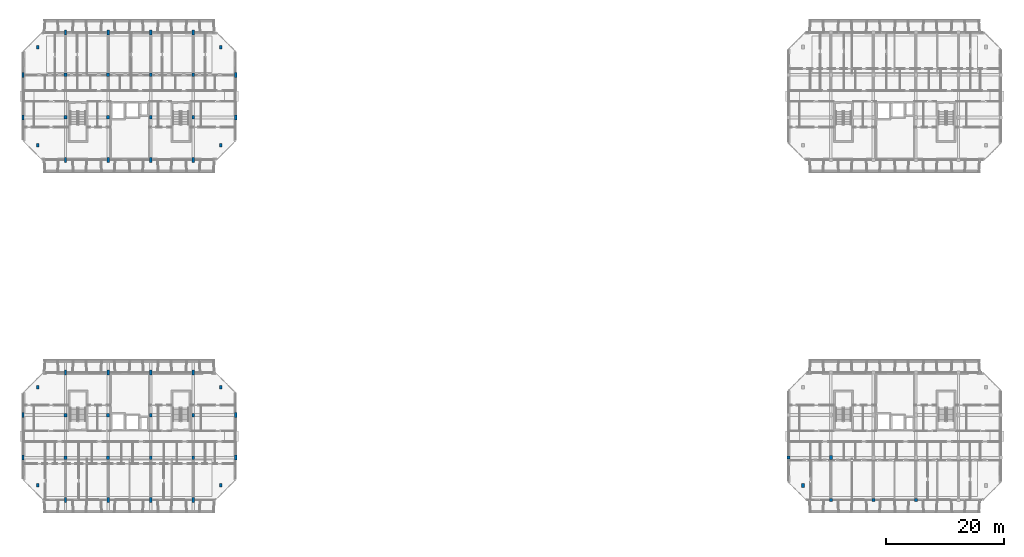
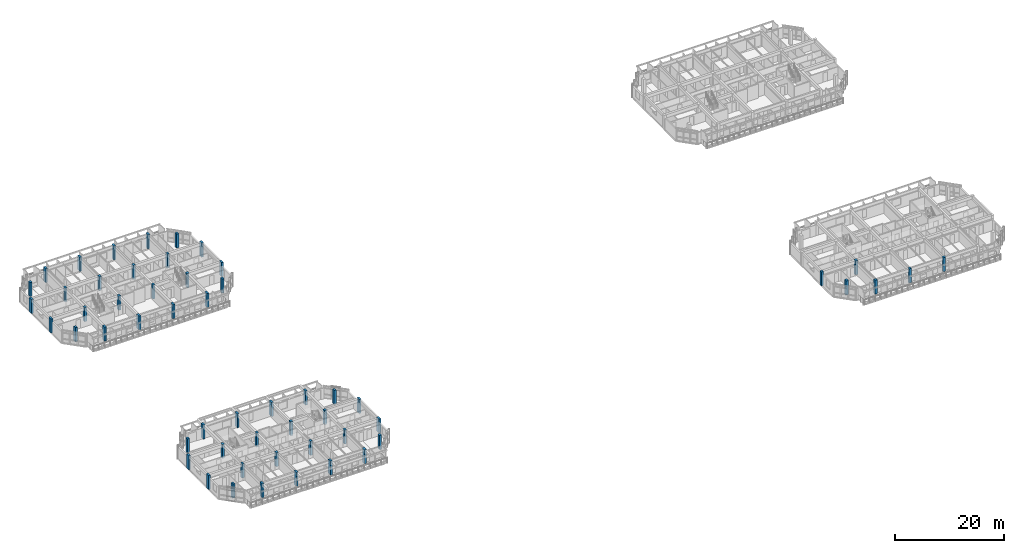
# One storey, part 1 of 46: 54 columns.
"""IFC4 building model written with IfcOpenShell, lengths in metres."""

from ifc_helpers import new_model, si_unit, direction, frame, origin, origin_2d, place, context, subcontext, project, spatial, rectangle, extrude, material, material_profile, profile_set, type_object, element, save


model = new_model("IFC4")

# Units and contexts
model_context = context("Model", 3, precision=1e-05, world=origin(), true_north=direction((0.0, 1.0)))
body_context = subcontext(model_context, "Body", "Model", "MODEL_VIEW")
ifc_project = project(units=[si_unit("LENGTHUNIT", "METRE"), si_unit("AREAUNIT", "SQUARE_METRE"), si_unit("VOLUMEUNIT", "CUBIC_METRE"), si_unit("PLANEANGLEUNIT", "RADIAN"), si_unit("MASSUNIT", "GRAM", prefix="KILO")], contexts=[model_context])

# Site, building, storey
site_placement = place(None, origin())
site = spatial("IfcSite", under=ifc_project, at=site_placement, CompositionType="ELEMENT")
building_placement = place(site_placement, origin())
building = spatial("IfcBuilding", under=site, at=building_placement, Name="Ochrevale Crest", CompositionType="ELEMENT")
storey_placement = place(building_placement, frame((0.0, 0.0, 24.449951171875)))
storey = spatial("IfcBuildingStorey", under=building, at=storey_placement, Name="L07", CompositionType="ELEMENT", Elevation=24.449951171875)

# Columns
ifc_material = material(Name="Precast concrete C50/60", Category="concrete")
ifc_material_profile_1 = material_profile(ifc_material, rectangle(XDim=0.39990234375, YDim=0.800048828125, at=origin_2d()), Name="RC 400x800")
ifc_profile_set_1 = profile_set([ifc_material_profile_1], Name="Precast concrete C50/60")
column_type_1 = type_object("IfcColumnType", Name="COL-RC400x800", PredefinedType="COLUMN", material=ifc_profile_set_1)
for number, where, z_axis, x_axis, name in (
    (1, (0.0, 21.60009765625, 0.0), (0.0, 0.0, 1.0), (1.0, 0.0, 0.0), "Block A L07 column (0.0,21.6)"),
    (2, (0.0, 28.800048828125, 0.0), (0.0, 0.0, 1.0), (1.0, 0.0, 0.0), "Block A L07 column (0.0,28.8)"),
    (3, (7.199951171875, 14.39990234375, 0.0), (0.0, 0.0, 1.0), (1.0, 0.0, 0.0), "Block A L07 column (7.2,14.4)"),
    (4, (7.199951171875, 36.0, 0.0), (0.0, 0.0, 1.0), (1.0, 0.0, 0.0), "Block A L07 column (7.2,36.0)"),
    (5, (14.39990234375, 14.39990234375, 0.0), (0.0, 0.0, 1.0), (1.0, 0.0, 0.0), "Block A L07 column (14.4,14.4)"),
    (6, (14.39990234375, 36.0, 0.0), (0.0, 0.0, 1.0), (1.0, 0.0, 0.0), "Block A L07 column (14.4,36.0)"),
    (7, (21.60009765625, 14.39990234375, 0.0), (0.0, 0.0, 1.0), (1.0, 0.0, 0.0), "Block A L07 column (21.6,14.4)"),
    (8, (21.60009765625, 36.0, 0.0), (0.0, 0.0, 1.0), (1.0, 0.0, 0.0), "Block A L07 column (21.6,36.0)"),
    (9, (28.800048828125, 14.39990234375, 0.0), (0.0, 0.0, 1.0), (1.0, 0.0, 0.0), "Block A L07 column (28.8,14.4)"),
    (10, (28.800048828125, 36.0, 0.0), (0.0, 0.0, 1.0), (1.0, 0.0, 0.0), "Block A L07 column (28.8,36.0)"),
    (11, (36.0, 21.60009765625, 0.0), (0.0, 0.0, 1.0), (1.0, 0.0, 0.0), "Block A L07 column (36.0,21.6)"),
    (12, (36.0, 28.800048828125, 0.0), (0.0, 0.0, 1.0), (1.0, 0.0, 0.0), "Block A L07 column (36.0,28.8)"),
    (13, (0.0, 79.199951171875, 0.0), (0.0, 0.0, 1.0), (1.0, 0.0, 0.0), "Block B L07 column (0.0,79.2)"),
    (14, (0.0, 86.39990234375, 0.0), (0.0, 0.0, 1.0), (1.0, 0.0, 0.0), "Block B L07 column (0.0,86.4)"),
    (15, (7.199951171875, 72.0, 0.0), (0.0, 0.0, 1.0), (1.0, 0.0, 0.0), "Block B L07 column (7.2,72.0)"),
    (16, (7.199951171875, 93.60009765625, 0.0), (0.0, 0.0, 1.0), (1.0, 0.0, 0.0), "Block B L07 column (7.2,93.6)"),
    (17, (14.39990234375, 72.0, 0.0), (0.0, 0.0, 1.0), (1.0, 0.0, 0.0), "Block B L07 column (14.4,72.0)"),
    (18, (14.39990234375, 93.60009765625, 0.0), (0.0, 0.0, 1.0), (1.0, 0.0, 0.0), "Block B L07 column (14.4,93.6)"),
    (19, (21.60009765625, 72.0, 0.0), (0.0, 0.0, 1.0), (1.0, 0.0, 0.0), "Block B L07 column (21.6,72.0)"),
    (20, (21.60009765625, 93.60009765625, 0.0), (0.0, 0.0, 1.0), (1.0, 0.0, 0.0), "Block B L07 column (21.6,93.6)"),
    (21, (28.800048828125, 72.0, 0.0), (0.0, 0.0, 1.0), (1.0, 0.0, 0.0), "Block B L07 column (28.8,72.0)"),
    (22, (28.800048828125, 93.60009765625, 0.0), (0.0, 0.0, 1.0), (1.0, 0.0, 0.0), "Block B L07 column (28.8,93.6)"),
    (23, (36.0, 79.199951171875, 0.0), (0.0, 0.0, 1.0), (1.0, 0.0, 0.0), "Block B L07 column (36.0,79.2)"),
    (24, (36.0, 86.39990234375, 0.0), (0.0, 0.0, 1.0), (1.0, 0.0, 0.0), "Block B L07 column (36.0,86.4)"),
):
    element("IfcColumn", number, at=place(storey_placement, frame(where, z_axis=z_axis, x_axis=x_axis)), inside=storey, type_object=column_type_1, Name=name, PredefinedType="COLUMN", context=body_context, shape_type="SweptSolid", body=[
        extrude(rectangle(XDim=0.39990234375, YDim=0.800048828125, at=origin_2d()), origin(), (0.0, 0.0, 1.0), 3.150146484375),
    ])
ifc_material_profile_2 = material_profile(ifc_material, rectangle(XDim=0.449951171875, YDim=0.60009765625, at=origin_2d()), Name="RC 450x600")
ifc_profile_set_2 = profile_set([ifc_material_profile_2], Name="Precast concrete C50/60")
column_type_2 = type_object("IfcColumnType", Name="COL-RC450x600", PredefinedType="COLUMN", material=ifc_profile_set_2)
for number, where, z_axis, x_axis, name in (
    (25, (2.5, 16.89990234375, 0.0), (0.0, 0.0, 1.0), (1.0, 0.0, 0.0), "Block A L07 column (2.5,16.9)"),
    (26, (2.5, 33.5, 0.0), (0.0, 0.0, 1.0), (1.0, 0.0, 0.0), "Block A L07 column (2.5,33.5)"),
    (27, (7.199951171875, 21.60009765625, 0.0), (0.0, 0.0, 1.0), (1.0, 0.0, 0.0), "Block A L07 column (7.2,21.6)"),
    (28, (7.199951171875, 28.800048828125, 0.0), (0.0, 0.0, 1.0), (1.0, 0.0, 0.0), "Block A L07 column (7.2,28.8)"),
    (29, (14.39990234375, 21.60009765625, 0.0), (0.0, 0.0, 1.0), (1.0, 0.0, 0.0), "Block A L07 column (14.4,21.6)"),
    (30, (14.39990234375, 28.800048828125, 0.0), (0.0, 0.0, 1.0), (1.0, 0.0, 0.0), "Block A L07 column (14.4,28.8)"),
    (31, (21.60009765625, 21.60009765625, 0.0), (0.0, 0.0, 1.0), (1.0, 0.0, 0.0), "Block A L07 column (21.6,21.6)"),
    (32, (21.60009765625, 28.800048828125, 0.0), (0.0, 0.0, 1.0), (1.0, 0.0, 0.0), "Block A L07 column (21.6,28.8)"),
    (33, (28.800048828125, 21.60009765625, 0.0), (0.0, 0.0, 1.0), (1.0, 0.0, 0.0), "Block A L07 column (28.8,21.6)"),
    (34, (28.800048828125, 28.800048828125, 0.0), (0.0, 0.0, 1.0), (1.0, 0.0, 0.0), "Block A L07 column (28.8,28.8)"),
    (35, (33.5, 16.89990234375, 0.0), (0.0, 0.0, 1.0), (1.0, 0.0, 0.0), "Block A L07 column (33.5,16.9)"),
    (36, (33.5, 33.5, 0.0), (0.0, 0.0, 1.0), (1.0, 0.0, 0.0), "Block A L07 column (33.5,33.5)"),
    (37, (2.5, 74.5, 0.0), (0.0, 0.0, 1.0), (1.0, 0.0, 0.0), "Block B L07 column (2.5,74.5)"),
    (38, (2.5, 91.10009765625, 0.0), (0.0, 0.0, 1.0), (1.0, 0.0, 0.0), "Block B L07 column (2.5,91.1)"),
    (39, (7.199951171875, 79.199951171875, 0.0), (0.0, 0.0, 1.0), (1.0, 0.0, 0.0), "Block B L07 column (7.2,79.2)"),
    (40, (7.199951171875, 86.39990234375, 0.0), (0.0, 0.0, 1.0), (1.0, 0.0, 0.0), "Block B L07 column (7.2,86.4)"),
    (41, (14.39990234375, 79.199951171875, 0.0), (0.0, 0.0, 1.0), (1.0, 0.0, 0.0), "Block B L07 column (14.4,79.2)"),
    (42, (14.39990234375, 86.39990234375, 0.0), (0.0, 0.0, 1.0), (1.0, 0.0, 0.0), "Block B L07 column (14.4,86.4)"),
    (43, (21.60009765625, 79.199951171875, 0.0), (0.0, 0.0, 1.0), (1.0, 0.0, 0.0), "Block B L07 column (21.6,79.2)"),
    (44, (21.60009765625, 86.39990234375, 0.0), (0.0, 0.0, 1.0), (1.0, 0.0, 0.0), "Block B L07 column (21.6,86.4)"),
    (45, (28.800048828125, 79.199951171875, 0.0), (0.0, 0.0, 1.0), (1.0, 0.0, 0.0), "Block B L07 column (28.8,79.2)"),
    (46, (28.800048828125, 86.39990234375, 0.0), (0.0, 0.0, 1.0), (1.0, 0.0, 0.0), "Block B L07 column (28.8,86.4)"),
    (47, (33.5, 74.5, 0.0), (0.0, 0.0, 1.0), (1.0, 0.0, 0.0), "Block B L07 column (33.5,74.5)"),
    (48, (33.5, 91.10009765625, 0.0), (0.0, 0.0, 1.0), (1.0, 0.0, 0.0), "Block B L07 column (33.5,91.1)"),
):
    element("IfcColumn", number, at=place(storey_placement, frame(where, z_axis=z_axis, x_axis=x_axis)), inside=storey, type_object=column_type_2, Name=name, PredefinedType="COLUMN", context=body_context, shape_type="SweptSolid", body=[
        extrude(rectangle(XDim=0.449951171875, YDim=0.60009765625, at=origin_2d()), origin(), (0.0, 0.0, 1.0), 3.150146484375),
    ])
ifc_material_profile_3 = material_profile(ifc_material, rectangle(XDim=0.5, YDim=0.5, at=origin_2d()), Name="RC 500x500")
ifc_profile_set_3 = profile_set([ifc_material_profile_3], Name="Precast concrete C50/60")
column_type_3 = type_object("IfcColumnType", Name="COL-RC500x500", PredefinedType="COLUMN", material=ifc_profile_set_3)
for number, where, z_axis, x_axis, name in (
    (49, (129.60009765625, 21.60009765625, 0.0), (0.0, 0.0, 1.0), (1.0, 0.0, 0.0), "Block C L07 column (129.6,21.6)"),
    (50, (136.800048828125, 14.39990234375, 0.0), (0.0, 0.0, 1.0), (1.0, 0.0, 0.0), "Block C L07 column (136.8,14.4)"),
    (51, (144.0, 14.39990234375, 0.0), (0.0, 0.0, 1.0), (1.0, 0.0, 0.0), "Block C L07 column (144.0,14.4)"),
    (52, (151.199951171875, 14.39990234375, 0.0), (0.0, 0.0, 1.0), (1.0, 0.0, 0.0), "Block C L07 column (151.2,14.4)"),
):
    element("IfcColumn", number, at=place(storey_placement, frame(where, z_axis=z_axis, x_axis=x_axis)), inside=storey, type_object=column_type_3, Name=name, PredefinedType="COLUMN", context=body_context, shape_type="SweptSolid", body=[
        extrude(rectangle(XDim=0.5, YDim=0.5, at=origin_2d()), origin(), (0.0, 0.0, 1.0), 3.150146484375),
    ])
ifc_material_profile_4 = material_profile(ifc_material, rectangle(XDim=0.5, YDim=0.64990234375, at=origin_2d()), Name="RC 500x650")
ifc_profile_set_4 = profile_set([ifc_material_profile_4], Name="Precast concrete C50/60")
column_type_4 = type_object("IfcColumnType", Name="COL-RC500x650", PredefinedType="COLUMN", material=ifc_profile_set_4)
for number, where, z_axis, x_axis, name in (
    (53, (132.10009765625, 16.89990234375, 0.0), (0.0, 0.0, 1.0), (1.0, 0.0, 0.0), "Block C L07 column (132.1,16.9)"),
    (54, (136.800048828125, 21.60009765625, 0.0), (0.0, 0.0, 1.0), (1.0, 0.0, 0.0), "Block C L07 column (136.8,21.6)"),
):
    element("IfcColumn", number, at=place(storey_placement, frame(where, z_axis=z_axis, x_axis=x_axis)), inside=storey, type_object=column_type_4, Name=name, PredefinedType="COLUMN", context=body_context, shape_type="SweptSolid", body=[
        extrude(rectangle(XDim=0.5, YDim=0.64990234375, at=origin_2d()), origin(), (0.0, 0.0, 1.0), 3.150146484375),
    ])

save(model, "model.ifc")
